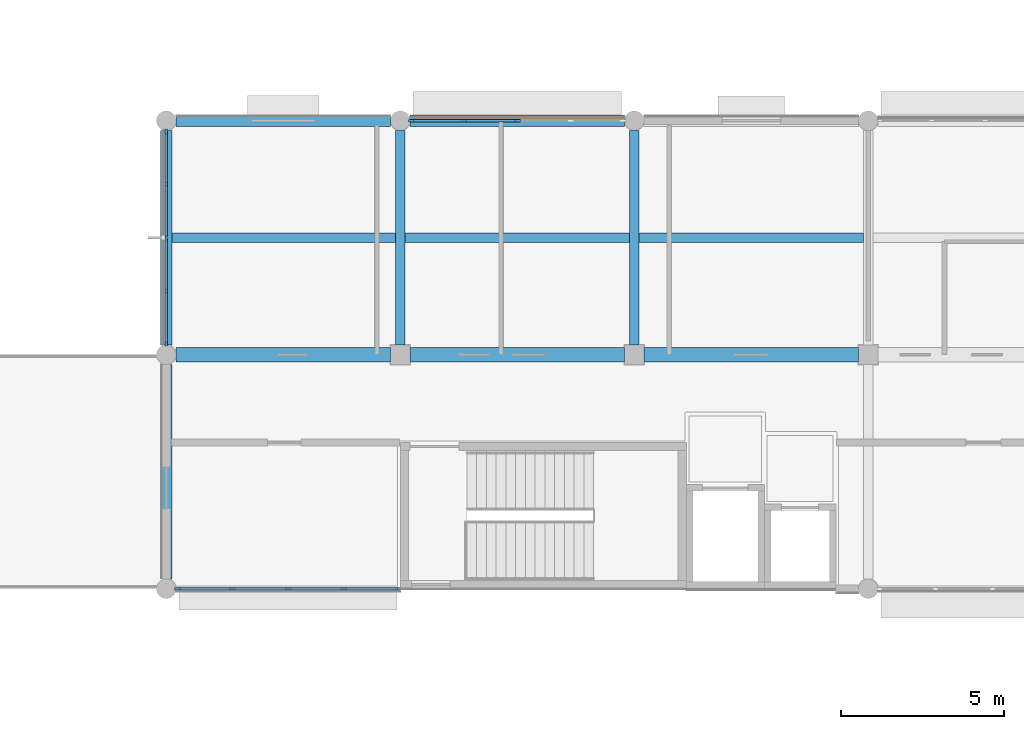
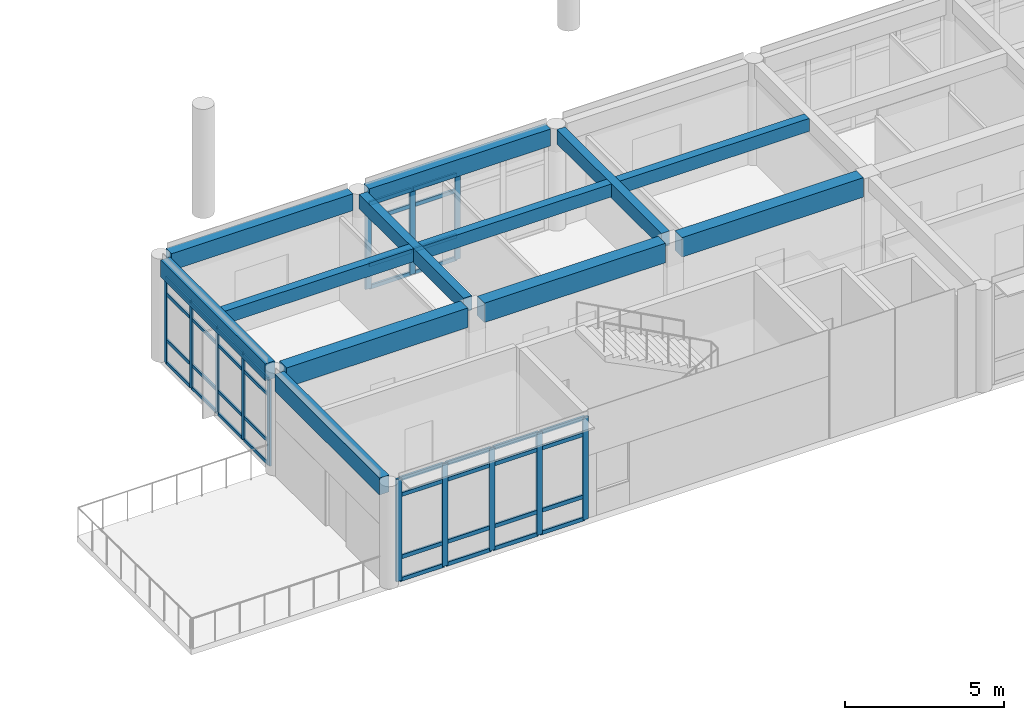
# One storey, part 7 of 41: 53 members, 12 beams, 3 elements without a shape of their own.
"""IFC4 building model written with IfcOpenShell, lengths in metres."""

from ifc_helpers import new_model, si_unit, direction, frame, origin, origin_2d, place, context, subcontext, project, spatial, rectangle, extrude, material, layer, layer_set, material_profile, profile_set, type_object, element, aggregate, save


model = new_model("IFC4")

# Units and contexts
model_context = context("Model", 3, precision=1e-05, world=origin(), true_north=direction((0.0, 1.0)))
body_context = subcontext(model_context, "Body", "Model", "MODEL_VIEW")
ifc_project = project(units=[si_unit("LENGTHUNIT", "METRE"), si_unit("AREAUNIT", "SQUARE_METRE"), si_unit("VOLUMEUNIT", "CUBIC_METRE"), si_unit("PLANEANGLEUNIT", "RADIAN"), si_unit("MASSUNIT", "GRAM", prefix="KILO")], contexts=[model_context])

# Site, building, storey
site_placement = place(None, origin())
site = spatial("IfcSite", under=ifc_project, at=site_placement, CompositionType="ELEMENT")
building_placement = place(site_placement, origin())
building = spatial("IfcBuilding", under=site, at=building_placement, Name="Namkhue Oval Health Centre", CompositionType="ELEMENT")
storey_placement = place(building_placement, frame((0.0, 0.0, 13.800048828125)))
storey = spatial("IfcBuildingStorey", under=building, at=storey_placement, Name="L03", CompositionType="ELEMENT", Elevation=13.800048828125)

# Curtain wall, members
ifc_material_1 = material(Name="Anodised aluminium EN AW-6063 T6", Category="aluminium")
ifc_layer_1 = layer(ifc_material_1, 0.159912109375)
ifc_layer_set_1 = layer_set([ifc_layer_1], Name="Anodised aluminium EN AW-6063 T6")
curtain_wall_type_1 = type_object("IfcCurtainWallType", Name="UNITISED CURTAIN WALL M1800", PredefinedType="NOTDEFINED", material=ifc_layer_set_1)
curtain_wall_1_placement = place(storey_placement, origin())
curtain_wall_1 = element("IfcCurtainWall", 1, at=curtain_wall_1_placement, inside=storey, type_object=curtain_wall_type_1, Name="Volume V2 L03 Unitised Curtain Wall 77", PredefinedType="NOTDEFINED")
ifc_material_profile_1 = material_profile(ifc_material_1, rectangle(XDim=0.06494140625, YDim=0.159912109375, at=origin_2d()), Name="ALU 65x160")
ifc_profile_set_1 = profile_set([ifc_material_profile_1], Name="Anodised aluminium EN AW-6063 T6")
member_type_1 = type_object("IfcMemberType", Name="CURTAIN WALL MULLION 65X160", PredefinedType="MULLION", material=ifc_profile_set_1)
member_1_placement = place(storey_placement, frame((50.39990234375, 104.0576171875, 0.0), z_axis=(0.0, 0.0, 1.0), x_axis=(1.0, 0.0, 0.0)))
member_1 = element("IfcMember", 2, at=member_1_placement, type_object=member_type_1, Name="CW-05 mullion 1", PredefinedType="MULLION", context=body_context, shape_type="SweptSolid", body=[
    extrude(rectangle(XDim=0.06494140625, YDim=0.159912109375, at=origin_2d()), origin(), (0.0, 0.0, 1.0), 3.322021484375),
])
member_2_placement = place(storey_placement, frame((50.39990234375, 102.445068359375, 0.0), z_axis=(0.0, 0.0, 1.0), x_axis=(1.0, 0.0, 0.0)))
member_2 = element("IfcMember", 3, at=member_2_placement, type_object=member_type_1, Name="CW-05 mullion 2", PredefinedType="MULLION", context=body_context, shape_type="SweptSolid", body=[
    extrude(rectangle(XDim=0.06494140625, YDim=0.159912109375, at=origin_2d()), origin(), (0.0, 0.0, 1.0), 3.322021484375),
])
member_3_placement = place(storey_placement, frame((50.39990234375, 100.800048828125, 0.0), z_axis=(0.0, 0.0, 1.0), x_axis=(1.0, 0.0, 0.0)))
member_3 = element("IfcMember", 4, at=member_3_placement, type_object=member_type_1, Name="CW-05 mullion 3", PredefinedType="MULLION", context=body_context, shape_type="SweptSolid", body=[
    extrude(rectangle(XDim=0.06494140625, YDim=0.159912109375, at=origin_2d()), origin(), (0.0, 0.0, 1.0), 3.322021484375),
])
member_4_placement = place(storey_placement, frame((50.39990234375, 99.155029296875, 0.0), z_axis=(0.0, 0.0, 1.0), x_axis=(1.0, 0.0, 0.0)))
member_4 = element("IfcMember", 5, at=member_4_placement, type_object=member_type_1, Name="CW-05 mullion 4", PredefinedType="MULLION", context=body_context, shape_type="SweptSolid", body=[
    extrude(rectangle(XDim=0.06494140625, YDim=0.159912109375, at=origin_2d()), origin(), (0.0, 0.0, 1.0), 3.322021484375),
])
member_5_placement = place(storey_placement, frame((50.39990234375, 97.54248046875, 0.0), z_axis=(0.0, 0.0, 1.0), x_axis=(1.0, 0.0, 0.0)))
member_5 = element("IfcMember", 6, at=member_5_placement, type_object=member_type_1, Name="CW-05 mullion 5", PredefinedType="MULLION", context=body_context, shape_type="SweptSolid", body=[
    extrude(rectangle(XDim=0.06494140625, YDim=0.159912109375, at=origin_2d()), origin(), (0.0, 0.0, 1.0), 3.322021484375),
])

ifc_layer_2 = layer(ifc_material_1, 0.159912109375)
ifc_layer_set_2 = layer_set([ifc_layer_2], Name="Anodised aluminium EN AW-6063 T6")
curtain_wall_type_2 = type_object("IfcCurtainWallType", Name="UNITISED CURTAIN WALL M1600", PredefinedType="NOTDEFINED", material=ifc_layer_set_2)
curtain_wall_2_placement = place(storey_placement, origin())
curtain_wall_2 = element("IfcCurtainWall", 7, at=curtain_wall_2_placement, inside=storey, type_object=curtain_wall_type_2, Name="Volume V2 L03 Unitised Curtain Wall 70", PredefinedType="NOTDEFINED")
ifc_material_profile_2 = material_profile(ifc_material_1, rectangle(XDim=0.074951171875, YDim=0.199951171875, at=origin_2d()), Name="ALU 75x200")
ifc_profile_set_2 = profile_set([ifc_material_profile_2], Name="Anodised aluminium EN AW-6063 T6")
member_type_2 = type_object("IfcMemberType", Name="CURTAIN WALL MULLION 75X200", PredefinedType="MULLION", material=ifc_profile_set_2)
member_6_placement = place(storey_placement, frame((50.74755859375, 90.0, 0.0), z_axis=(0.0, 0.0, 1.0), x_axis=(0.0, 1.0, 0.0)))
member_6 = element("IfcMember", 8, at=member_6_placement, type_object=member_type_2, Name="CW-04 mullion 1", PredefinedType="MULLION", context=body_context, shape_type="SweptSolid", body=[
    extrude(rectangle(XDim=0.074951171875, YDim=0.199951171875, at=origin_2d()), origin(), (0.0, 0.0, 1.0), 3.945068359375),
])
member_7_placement = place(storey_placement, frame((52.42822265625, 90.0, 0.0), z_axis=(0.0, 0.0, 1.0), x_axis=(0.0, 1.0, 0.0)))
member_7 = element("IfcMember", 9, at=member_7_placement, type_object=member_type_2, Name="CW-04 mullion 2", PredefinedType="MULLION", context=body_context, shape_type="SweptSolid", body=[
    extrude(rectangle(XDim=0.074951171875, YDim=0.199951171875, at=origin_2d()), origin(), (0.0, 0.0, 1.0), 3.945068359375),
])
member_8_placement = place(storey_placement, frame((54.146484375, 90.0, 0.0), z_axis=(0.0, 0.0, 1.0), x_axis=(0.0, 1.0, 0.0)))
member_8 = element("IfcMember", 10, at=member_8_placement, type_object=member_type_2, Name="CW-04 mullion 3", PredefinedType="MULLION", context=body_context, shape_type="SweptSolid", body=[
    extrude(rectangle(XDim=0.074951171875, YDim=0.199951171875, at=origin_2d()), origin(), (0.0, 0.0, 1.0), 3.945068359375),
])
member_9_placement = place(storey_placement, frame((55.86474609375, 90.0, 0.0), z_axis=(0.0, 0.0, 1.0), x_axis=(0.0, 1.0, 0.0)))
member_9 = element("IfcMember", 11, at=member_9_placement, type_object=member_type_2, Name="CW-04 mullion 4", PredefinedType="MULLION", context=body_context, shape_type="SweptSolid", body=[
    extrude(rectangle(XDim=0.074951171875, YDim=0.199951171875, at=origin_2d()), origin(), (0.0, 0.0, 1.0), 3.945068359375),
])
member_10_placement = place(storey_placement, frame((57.54541015625, 90.0, 0.0), z_axis=(0.0, 0.0, 1.0), x_axis=(0.0, 1.0, 0.0)))
member_10 = element("IfcMember", 12, at=member_10_placement, type_object=member_type_2, Name="CW-04 mullion 5", PredefinedType="MULLION", context=body_context, shape_type="SweptSolid", body=[
    extrude(rectangle(XDim=0.074951171875, YDim=0.199951171875, at=origin_2d()), origin(), (0.0, 0.0, 1.0), 3.945068359375),
])

curtain_wall_3_placement = place(storey_placement, origin())
curtain_wall_3 = element("IfcCurtainWall", 13, at=curtain_wall_3_placement, inside=storey, type_object=curtain_wall_type_2, Name="Volume V2 L03 Unitised Curtain Wall 76", PredefinedType="NOTDEFINED")
member_11_placement = place(storey_placement, frame((61.199951171875, 104.39990234375, 0.0), z_axis=(0.0, 0.0, 1.0), x_axis=(0.0, -1.0, 0.0)))
member_11 = element("IfcMember", 14, at=member_11_placement, type_object=member_type_2, Name="CW-04 mullion 3", PredefinedType="MULLION", context=body_context, shape_type="SweptSolid", body=[
    extrude(rectangle(XDim=0.074951171875, YDim=0.199951171875, at=origin_2d()), origin(), (0.0, 0.0, 1.0), 3.294921875),
])
member_12_placement = place(storey_placement, frame((59.554931640625, 104.39990234375, 0.0), z_axis=(0.0, 0.0, 1.0), x_axis=(0.0, -1.0, 0.0)))
member_12 = element("IfcMember", 15, at=member_12_placement, type_object=member_type_2, Name="CW-04 mullion 4", PredefinedType="MULLION", context=body_context, shape_type="SweptSolid", body=[
    extrude(rectangle(XDim=0.074951171875, YDim=0.199951171875, at=origin_2d()), origin(), (0.0, 0.0, 1.0), 3.294921875),
])
member_13_placement = place(storey_placement, frame((57.947509765625, 104.39990234375, 0.0), z_axis=(0.0, 0.0, 1.0), x_axis=(0.0, -1.0, 0.0)))
member_13 = element("IfcMember", 16, at=member_13_placement, type_object=member_type_2, Name="CW-04 mullion 5", PredefinedType="MULLION", context=body_context, shape_type="SweptSolid", body=[
    extrude(rectangle(XDim=0.074951171875, YDim=0.199951171875, at=origin_2d()), origin(), (0.0, 0.0, 1.0), 3.294921875),
])

# Member
ifc_material_profile_3 = material_profile(ifc_material_1, rectangle(XDim=0.06494140625, YDim=0.1201171875, at=origin_2d()), Name="ALU 65x120")
ifc_profile_set_3 = profile_set([ifc_material_profile_3], Name="Anodised aluminium EN AW-6063 T6")
member_type_3 = type_object("IfcMemberType", Name="CURTAIN WALL TRANSOM 65X120", PredefinedType="USERDEFINED", material=ifc_profile_set_3)
member_14_placement = place(storey_placement, frame((50.39990234375, 104.02490234375, 0.032470703125), z_axis=(0.0, -1.0, 0.0), x_axis=(1.0, 0.0, 0.0)))
member_14 = element("IfcMember", 17, at=member_14_placement, type_object=member_type_3, Name="CW-05 transom 1.1", ObjectType="TRANSOM", PredefinedType="USERDEFINED", context=body_context, shape_type="SweptSolid", body=[
    extrude(rectangle(XDim=0.06494140625, YDim=0.1201171875, at=origin_2d()), origin(), (0.0, 0.0, 1.0), 1.54736328125),
])

member_15_placement = place(storey_placement, frame((50.39990234375, 104.02490234375, 0.89990234375), z_axis=(0.0, -1.0, 0.0), x_axis=(1.0, 0.0, 0.0)))
member_15 = element("IfcMember", 18, at=member_15_placement, type_object=member_type_3, Name="CW-05 transom 1.2", ObjectType="TRANSOM", PredefinedType="USERDEFINED", context=body_context, shape_type="SweptSolid", body=[
    extrude(rectangle(XDim=0.06494140625, YDim=0.1201171875, at=origin_2d()), origin(), (0.0, 0.0, 1.0), 1.54736328125),
])

member_16_placement = place(storey_placement, frame((50.39990234375, 104.02490234375, 2.671875), z_axis=(0.0, -1.0, 0.0), x_axis=(1.0, 0.0, 0.0)))
member_16 = element("IfcMember", 19, at=member_16_placement, type_object=member_type_3, Name="CW-05 transom 1.3", ObjectType="TRANSOM", PredefinedType="USERDEFINED", context=body_context, shape_type="SweptSolid", body=[
    extrude(rectangle(XDim=0.06494140625, YDim=0.1201171875, at=origin_2d()), origin(), (0.0, 0.0, 1.0), 1.54736328125),
])

member_17_placement = place(storey_placement, frame((50.39990234375, 104.02490234375, 3.28955078125), z_axis=(0.0, -1.0, 0.0), x_axis=(1.0, 0.0, 0.0)))
member_17 = element("IfcMember", 20, at=member_17_placement, type_object=member_type_3, Name="CW-05 transom 1.4", ObjectType="TRANSOM", PredefinedType="USERDEFINED", context=body_context, shape_type="SweptSolid", body=[
    extrude(rectangle(XDim=0.06494140625, YDim=0.1201171875, at=origin_2d()), origin(), (0.0, 0.0, 1.0), 1.54736328125),
])

member_18_placement = place(storey_placement, frame((50.39990234375, 102.41259765625, 0.032470703125), z_axis=(0.0, -1.0, 0.0), x_axis=(1.0, 0.0, 0.0)))
member_18 = element("IfcMember", 21, at=member_18_placement, type_object=member_type_3, Name="CW-05 transom 2.1", ObjectType="TRANSOM", PredefinedType="USERDEFINED", context=body_context, shape_type="SweptSolid", body=[
    extrude(rectangle(XDim=0.06494140625, YDim=0.1201171875, at=origin_2d()), origin(), (0.0, 0.0, 1.0), 1.580078125),
])

member_19_placement = place(storey_placement, frame((50.39990234375, 102.41259765625, 0.89990234375), z_axis=(0.0, -1.0, 0.0), x_axis=(1.0, 0.0, 0.0)))
member_19 = element("IfcMember", 22, at=member_19_placement, type_object=member_type_3, Name="CW-05 transom 2.2", ObjectType="TRANSOM", PredefinedType="USERDEFINED", context=body_context, shape_type="SweptSolid", body=[
    extrude(rectangle(XDim=0.06494140625, YDim=0.1201171875, at=origin_2d()), origin(), (0.0, 0.0, 1.0), 1.580078125),
])

member_20_placement = place(storey_placement, frame((50.39990234375, 102.41259765625, 2.671875), z_axis=(0.0, -1.0, 0.0), x_axis=(1.0, 0.0, 0.0)))
member_20 = element("IfcMember", 23, at=member_20_placement, type_object=member_type_3, Name="CW-05 transom 2.3", ObjectType="TRANSOM", PredefinedType="USERDEFINED", context=body_context, shape_type="SweptSolid", body=[
    extrude(rectangle(XDim=0.06494140625, YDim=0.1201171875, at=origin_2d()), origin(), (0.0, 0.0, 1.0), 1.580078125),
])

member_21_placement = place(storey_placement, frame((50.39990234375, 102.41259765625, 3.28955078125), z_axis=(0.0, -1.0, 0.0), x_axis=(1.0, 0.0, 0.0)))
member_21 = element("IfcMember", 24, at=member_21_placement, type_object=member_type_3, Name="CW-05 transom 2.4", ObjectType="TRANSOM", PredefinedType="USERDEFINED", context=body_context, shape_type="SweptSolid", body=[
    extrude(rectangle(XDim=0.06494140625, YDim=0.1201171875, at=origin_2d()), origin(), (0.0, 0.0, 1.0), 1.580078125),
])

member_22_placement = place(storey_placement, frame((50.39990234375, 100.767578125, 0.032470703125), z_axis=(0.0, -1.0, 0.0), x_axis=(1.0, 0.0, 0.0)))
member_22 = element("IfcMember", 25, at=member_22_placement, type_object=member_type_3, Name="CW-05 transom 3.1", ObjectType="TRANSOM", PredefinedType="USERDEFINED", context=body_context, shape_type="SweptSolid", body=[
    extrude(rectangle(XDim=0.06494140625, YDim=0.1201171875, at=origin_2d()), origin(), (0.0, 0.0, 1.0), 1.580078125),
])

member_23_placement = place(storey_placement, frame((50.39990234375, 100.767578125, 0.89990234375), z_axis=(0.0, -1.0, 0.0), x_axis=(1.0, 0.0, 0.0)))
member_23 = element("IfcMember", 26, at=member_23_placement, type_object=member_type_3, Name="CW-05 transom 3.2", ObjectType="TRANSOM", PredefinedType="USERDEFINED", context=body_context, shape_type="SweptSolid", body=[
    extrude(rectangle(XDim=0.06494140625, YDim=0.1201171875, at=origin_2d()), origin(), (0.0, 0.0, 1.0), 1.580078125),
])

member_24_placement = place(storey_placement, frame((50.39990234375, 100.767578125, 2.671875), z_axis=(0.0, -1.0, 0.0), x_axis=(1.0, 0.0, 0.0)))
member_24 = element("IfcMember", 27, at=member_24_placement, type_object=member_type_3, Name="CW-05 transom 3.3", ObjectType="TRANSOM", PredefinedType="USERDEFINED", context=body_context, shape_type="SweptSolid", body=[
    extrude(rectangle(XDim=0.06494140625, YDim=0.1201171875, at=origin_2d()), origin(), (0.0, 0.0, 1.0), 1.580078125),
])

member_25_placement = place(storey_placement, frame((50.39990234375, 100.767578125, 3.28955078125), z_axis=(0.0, -1.0, 0.0), x_axis=(1.0, 0.0, 0.0)))
member_25 = element("IfcMember", 28, at=member_25_placement, type_object=member_type_3, Name="CW-05 transom 3.4", ObjectType="TRANSOM", PredefinedType="USERDEFINED", context=body_context, shape_type="SweptSolid", body=[
    extrude(rectangle(XDim=0.06494140625, YDim=0.1201171875, at=origin_2d()), origin(), (0.0, 0.0, 1.0), 1.580078125),
])

member_26_placement = place(storey_placement, frame((50.39990234375, 99.12255859375, 0.032470703125), z_axis=(0.0, -1.0, 0.0), x_axis=(1.0, 0.0, 0.0)))
member_26 = element("IfcMember", 29, at=member_26_placement, type_object=member_type_3, Name="CW-05 transom 4.1", ObjectType="TRANSOM", PredefinedType="USERDEFINED", context=body_context, shape_type="SweptSolid", body=[
    extrude(rectangle(XDim=0.06494140625, YDim=0.1201171875, at=origin_2d()), origin(), (0.0, 0.0, 1.0), 1.547607421875),
])

member_27_placement = place(storey_placement, frame((50.39990234375, 99.12255859375, 0.89990234375), z_axis=(0.0, -1.0, 0.0), x_axis=(1.0, 0.0, 0.0)))
member_27 = element("IfcMember", 30, at=member_27_placement, type_object=member_type_3, Name="CW-05 transom 4.2", ObjectType="TRANSOM", PredefinedType="USERDEFINED", context=body_context, shape_type="SweptSolid", body=[
    extrude(rectangle(XDim=0.06494140625, YDim=0.1201171875, at=origin_2d()), origin(), (0.0, 0.0, 1.0), 1.547607421875),
])

member_28_placement = place(storey_placement, frame((50.39990234375, 99.12255859375, 2.671875), z_axis=(0.0, -1.0, 0.0), x_axis=(1.0, 0.0, 0.0)))
member_28 = element("IfcMember", 31, at=member_28_placement, type_object=member_type_3, Name="CW-05 transom 4.3", ObjectType="TRANSOM", PredefinedType="USERDEFINED", context=body_context, shape_type="SweptSolid", body=[
    extrude(rectangle(XDim=0.06494140625, YDim=0.1201171875, at=origin_2d()), origin(), (0.0, 0.0, 1.0), 1.547607421875),
])

member_29_placement = place(storey_placement, frame((50.39990234375, 99.12255859375, 3.28955078125), z_axis=(0.0, -1.0, 0.0), x_axis=(1.0, 0.0, 0.0)))
member_29 = element("IfcMember", 32, at=member_29_placement, type_object=member_type_3, Name="CW-05 transom 4.4", ObjectType="TRANSOM", PredefinedType="USERDEFINED", context=body_context, shape_type="SweptSolid", body=[
    extrude(rectangle(XDim=0.06494140625, YDim=0.1201171875, at=origin_2d()), origin(), (0.0, 0.0, 1.0), 1.547607421875),
])

aggregate(curtain_wall_1, [member_1, member_2, member_3, member_4, member_5, member_14, member_15, member_16, member_17, member_18, member_19, member_20, member_21, member_22, member_23, member_24, member_25, member_26, member_27, member_28, member_29])

ifc_material_profile_4 = material_profile(ifc_material_1, rectangle(XDim=0.074951171875, YDim=0.14990234375, at=origin_2d()), Name="ALU 75x150")
ifc_profile_set_4 = profile_set([ifc_material_profile_4], Name="Anodised aluminium EN AW-6063 T6")
member_type_4 = type_object("IfcMemberType", Name="CURTAIN WALL TRANSOM 75X150", PredefinedType="USERDEFINED", material=ifc_profile_set_4)
member_30_placement = place(storey_placement, frame((50.784912109375, 90.0, 0.037353515625), z_axis=(1.0, 0.0, 0.0), x_axis=(0.0, 1.0, 0.0)))
member_30 = element("IfcMember", 33, at=member_30_placement, type_object=member_type_4, Name="CW-04 transom 1.1", ObjectType="TRANSOM", PredefinedType="USERDEFINED", context=body_context, shape_type="SweptSolid", body=[
    extrude(rectangle(XDim=0.074951171875, YDim=0.14990234375, at=origin_2d()), origin(), (0.0, 0.0, 1.0), 1.60595703125),
])

member_31_placement = place(storey_placement, frame((50.784912109375, 90.0, 0.89990234375), z_axis=(1.0, 0.0, 0.0), x_axis=(0.0, 1.0, 0.0)))
member_31 = element("IfcMember", 34, at=member_31_placement, type_object=member_type_4, Name="CW-04 transom 1.2", ObjectType="TRANSOM", PredefinedType="USERDEFINED", context=body_context, shape_type="SweptSolid", body=[
    extrude(rectangle(XDim=0.074951171875, YDim=0.14990234375, at=origin_2d()), origin(), (0.0, 0.0, 1.0), 1.60595703125),
])

member_32_placement = place(storey_placement, frame((50.784912109375, 90.0, 3.294921875), z_axis=(1.0, 0.0, 0.0), x_axis=(0.0, 1.0, 0.0)))
member_32 = element("IfcMember", 35, at=member_32_placement, type_object=member_type_4, Name="CW-04 transom 1.3", ObjectType="TRANSOM", PredefinedType="USERDEFINED", context=body_context, shape_type="SweptSolid", body=[
    extrude(rectangle(XDim=0.074951171875, YDim=0.14990234375, at=origin_2d()), origin(), (0.0, 0.0, 1.0), 1.60595703125),
])

member_33_placement = place(storey_placement, frame((50.784912109375, 90.0, 3.907470703125), z_axis=(1.0, 0.0, 0.0), x_axis=(0.0, 1.0, 0.0)))
member_33 = element("IfcMember", 36, at=member_33_placement, type_object=member_type_4, Name="CW-04 transom 1.4", ObjectType="TRANSOM", PredefinedType="USERDEFINED", context=body_context, shape_type="SweptSolid", body=[
    extrude(rectangle(XDim=0.074951171875, YDim=0.14990234375, at=origin_2d()), origin(), (0.0, 0.0, 1.0), 1.60595703125),
])

member_34_placement = place(storey_placement, frame((52.4658203125, 90.0, 0.037353515625), z_axis=(1.0, 0.0, 0.0), x_axis=(0.0, 1.0, 0.0)))
member_34 = element("IfcMember", 37, at=member_34_placement, type_object=member_type_4, Name="CW-04 transom 2.1", ObjectType="TRANSOM", PredefinedType="USERDEFINED", context=body_context, shape_type="SweptSolid", body=[
    extrude(rectangle(XDim=0.074951171875, YDim=0.14990234375, at=origin_2d()), origin(), (0.0, 0.0, 1.0), 1.64306640625),
])

member_35_placement = place(storey_placement, frame((52.4658203125, 90.0, 0.89990234375), z_axis=(1.0, 0.0, 0.0), x_axis=(0.0, 1.0, 0.0)))
member_35 = element("IfcMember", 38, at=member_35_placement, type_object=member_type_4, Name="CW-04 transom 2.2", ObjectType="TRANSOM", PredefinedType="USERDEFINED", context=body_context, shape_type="SweptSolid", body=[
    extrude(rectangle(XDim=0.074951171875, YDim=0.14990234375, at=origin_2d()), origin(), (0.0, 0.0, 1.0), 1.64306640625),
])

member_36_placement = place(storey_placement, frame((52.4658203125, 90.0, 3.294921875), z_axis=(1.0, 0.0, 0.0), x_axis=(0.0, 1.0, 0.0)))
member_36 = element("IfcMember", 39, at=member_36_placement, type_object=member_type_4, Name="CW-04 transom 2.3", ObjectType="TRANSOM", PredefinedType="USERDEFINED", context=body_context, shape_type="SweptSolid", body=[
    extrude(rectangle(XDim=0.074951171875, YDim=0.14990234375, at=origin_2d()), origin(), (0.0, 0.0, 1.0), 1.64306640625),
])

member_37_placement = place(storey_placement, frame((52.4658203125, 90.0, 3.907470703125), z_axis=(1.0, 0.0, 0.0), x_axis=(0.0, 1.0, 0.0)))
member_37 = element("IfcMember", 40, at=member_37_placement, type_object=member_type_4, Name="CW-04 transom 2.4", ObjectType="TRANSOM", PredefinedType="USERDEFINED", context=body_context, shape_type="SweptSolid", body=[
    extrude(rectangle(XDim=0.074951171875, YDim=0.14990234375, at=origin_2d()), origin(), (0.0, 0.0, 1.0), 1.64306640625),
])

member_38_placement = place(storey_placement, frame((54.18408203125, 90.0, 0.037353515625), z_axis=(1.0, 0.0, 0.0), x_axis=(0.0, 1.0, 0.0)))
member_38 = element("IfcMember", 41, at=member_38_placement, type_object=member_type_4, Name="CW-04 transom 3.1", ObjectType="TRANSOM", PredefinedType="USERDEFINED", context=body_context, shape_type="SweptSolid", body=[
    extrude(rectangle(XDim=0.074951171875, YDim=0.14990234375, at=origin_2d()), origin(), (0.0, 0.0, 1.0), 1.64306640625),
])

member_39_placement = place(storey_placement, frame((54.18408203125, 90.0, 0.89990234375), z_axis=(1.0, 0.0, 0.0), x_axis=(0.0, 1.0, 0.0)))
member_39 = element("IfcMember", 42, at=member_39_placement, type_object=member_type_4, Name="CW-04 transom 3.2", ObjectType="TRANSOM", PredefinedType="USERDEFINED", context=body_context, shape_type="SweptSolid", body=[
    extrude(rectangle(XDim=0.074951171875, YDim=0.14990234375, at=origin_2d()), origin(), (0.0, 0.0, 1.0), 1.64306640625),
])

member_40_placement = place(storey_placement, frame((54.18408203125, 90.0, 3.294921875), z_axis=(1.0, 0.0, 0.0), x_axis=(0.0, 1.0, 0.0)))
member_40 = element("IfcMember", 43, at=member_40_placement, type_object=member_type_4, Name="CW-04 transom 3.3", ObjectType="TRANSOM", PredefinedType="USERDEFINED", context=body_context, shape_type="SweptSolid", body=[
    extrude(rectangle(XDim=0.074951171875, YDim=0.14990234375, at=origin_2d()), origin(), (0.0, 0.0, 1.0), 1.64306640625),
])

member_41_placement = place(storey_placement, frame((54.18408203125, 90.0, 3.907470703125), z_axis=(1.0, 0.0, 0.0), x_axis=(0.0, 1.0, 0.0)))
member_41 = element("IfcMember", 44, at=member_41_placement, type_object=member_type_4, Name="CW-04 transom 3.4", ObjectType="TRANSOM", PredefinedType="USERDEFINED", context=body_context, shape_type="SweptSolid", body=[
    extrude(rectangle(XDim=0.074951171875, YDim=0.14990234375, at=origin_2d()), origin(), (0.0, 0.0, 1.0), 1.64306640625),
])

member_42_placement = place(storey_placement, frame((55.90234375, 90.0, 0.037353515625), z_axis=(1.0, 0.0, 0.0), x_axis=(0.0, 1.0, 0.0)))
member_42 = element("IfcMember", 45, at=member_42_placement, type_object=member_type_4, Name="CW-04 transom 4.1", ObjectType="TRANSOM", PredefinedType="USERDEFINED", context=body_context, shape_type="SweptSolid", body=[
    extrude(rectangle(XDim=0.074951171875, YDim=0.14990234375, at=origin_2d()), origin(), (0.0, 0.0, 1.0), 1.605712890625),
])

member_43_placement = place(storey_placement, frame((55.90234375, 90.0, 0.89990234375), z_axis=(1.0, 0.0, 0.0), x_axis=(0.0, 1.0, 0.0)))
member_43 = element("IfcMember", 46, at=member_43_placement, type_object=member_type_4, Name="CW-04 transom 4.2", ObjectType="TRANSOM", PredefinedType="USERDEFINED", context=body_context, shape_type="SweptSolid", body=[
    extrude(rectangle(XDim=0.074951171875, YDim=0.14990234375, at=origin_2d()), origin(), (0.0, 0.0, 1.0), 1.605712890625),
])

member_44_placement = place(storey_placement, frame((55.90234375, 90.0, 3.294921875), z_axis=(1.0, 0.0, 0.0), x_axis=(0.0, 1.0, 0.0)))
member_44 = element("IfcMember", 47, at=member_44_placement, type_object=member_type_4, Name="CW-04 transom 4.3", ObjectType="TRANSOM", PredefinedType="USERDEFINED", context=body_context, shape_type="SweptSolid", body=[
    extrude(rectangle(XDim=0.074951171875, YDim=0.14990234375, at=origin_2d()), origin(), (0.0, 0.0, 1.0), 1.605712890625),
])

member_45_placement = place(storey_placement, frame((55.90234375, 90.0, 3.907470703125), z_axis=(1.0, 0.0, 0.0), x_axis=(0.0, 1.0, 0.0)))
member_45 = element("IfcMember", 48, at=member_45_placement, type_object=member_type_4, Name="CW-04 transom 4.4", ObjectType="TRANSOM", PredefinedType="USERDEFINED", context=body_context, shape_type="SweptSolid", body=[
    extrude(rectangle(XDim=0.074951171875, YDim=0.14990234375, at=origin_2d()), origin(), (0.0, 0.0, 1.0), 1.605712890625),
])

aggregate(curtain_wall_2, [member_6, member_7, member_8, member_9, member_10, member_30, member_31, member_32, member_33, member_34, member_35, member_36, member_37, member_38, member_39, member_40, member_41, member_42, member_43, member_44, member_45])

member_46_placement = place(storey_placement, frame((61.16259765625, 104.39990234375, 0.037353515625), z_axis=(-1.0, 0.0, 0.0), x_axis=(0.0, -1.0, 0.0)))
member_46 = element("IfcMember", 49, at=member_46_placement, type_object=member_type_4, Name="CW-04 transom 3.1", ObjectType="TRANSOM", PredefinedType="USERDEFINED", context=body_context, shape_type="SweptSolid", body=[
    extrude(rectangle(XDim=0.074951171875, YDim=0.14990234375, at=origin_2d()), origin(), (0.0, 0.0, 1.0), 1.570068359375),
])

member_47_placement = place(storey_placement, frame((61.16259765625, 104.39990234375, 0.89990234375), z_axis=(-1.0, 0.0, 0.0), x_axis=(0.0, -1.0, 0.0)))
member_47 = element("IfcMember", 50, at=member_47_placement, type_object=member_type_4, Name="CW-04 transom 3.2", ObjectType="TRANSOM", PredefinedType="USERDEFINED", context=body_context, shape_type="SweptSolid", body=[
    extrude(rectangle(XDim=0.074951171875, YDim=0.14990234375, at=origin_2d()), origin(), (0.0, 0.0, 1.0), 1.570068359375),
])

member_48_placement = place(storey_placement, frame((61.16259765625, 104.39990234375, 2.64501953125), z_axis=(-1.0, 0.0, 0.0), x_axis=(0.0, -1.0, 0.0)))
member_48 = element("IfcMember", 51, at=member_48_placement, type_object=member_type_4, Name="CW-04 transom 3.3", ObjectType="TRANSOM", PredefinedType="USERDEFINED", context=body_context, shape_type="SweptSolid", body=[
    extrude(rectangle(XDim=0.074951171875, YDim=0.14990234375, at=origin_2d()), origin(), (0.0, 0.0, 1.0), 1.570068359375),
])

member_49_placement = place(storey_placement, frame((61.16259765625, 104.39990234375, 3.257568359375), z_axis=(-1.0, 0.0, 0.0), x_axis=(0.0, -1.0, 0.0)))
member_49 = element("IfcMember", 52, at=member_49_placement, type_object=member_type_4, Name="CW-04 transom 3.4", ObjectType="TRANSOM", PredefinedType="USERDEFINED", context=body_context, shape_type="SweptSolid", body=[
    extrude(rectangle(XDim=0.074951171875, YDim=0.14990234375, at=origin_2d()), origin(), (0.0, 0.0, 1.0), 1.570068359375),
])

member_50_placement = place(storey_placement, frame((59.517578125, 104.39990234375, 0.037353515625), z_axis=(-1.0, 0.0, 0.0), x_axis=(0.0, -1.0, 0.0)))
member_50 = element("IfcMember", 53, at=member_50_placement, type_object=member_type_4, Name="CW-04 transom 4.1", ObjectType="TRANSOM", PredefinedType="USERDEFINED", context=body_context, shape_type="SweptSolid", body=[
    extrude(rectangle(XDim=0.074951171875, YDim=0.14990234375, at=origin_2d()), origin(), (0.0, 0.0, 1.0), 1.532470703125),
])

member_51_placement = place(storey_placement, frame((59.517578125, 104.39990234375, 0.89990234375), z_axis=(-1.0, 0.0, 0.0), x_axis=(0.0, -1.0, 0.0)))
member_51 = element("IfcMember", 54, at=member_51_placement, type_object=member_type_4, Name="CW-04 transom 4.2", ObjectType="TRANSOM", PredefinedType="USERDEFINED", context=body_context, shape_type="SweptSolid", body=[
    extrude(rectangle(XDim=0.074951171875, YDim=0.14990234375, at=origin_2d()), origin(), (0.0, 0.0, 1.0), 1.532470703125),
])

member_52_placement = place(storey_placement, frame((59.517578125, 104.39990234375, 2.64501953125), z_axis=(-1.0, 0.0, 0.0), x_axis=(0.0, -1.0, 0.0)))
member_52 = element("IfcMember", 55, at=member_52_placement, type_object=member_type_4, Name="CW-04 transom 4.3", ObjectType="TRANSOM", PredefinedType="USERDEFINED", context=body_context, shape_type="SweptSolid", body=[
    extrude(rectangle(XDim=0.074951171875, YDim=0.14990234375, at=origin_2d()), origin(), (0.0, 0.0, 1.0), 1.532470703125),
])

member_53_placement = place(storey_placement, frame((59.517578125, 104.39990234375, 3.257568359375), z_axis=(-1.0, 0.0, 0.0), x_axis=(0.0, -1.0, 0.0)))
member_53 = element("IfcMember", 56, at=member_53_placement, type_object=member_type_4, Name="CW-04 transom 4.4", ObjectType="TRANSOM", PredefinedType="USERDEFINED", context=body_context, shape_type="SweptSolid", body=[
    extrude(rectangle(XDim=0.074951171875, YDim=0.14990234375, at=origin_2d()), origin(), (0.0, 0.0, 1.0), 1.532470703125),
])

aggregate(curtain_wall_3, [member_11, member_12, member_13, member_46, member_47, member_48, member_49, member_50, member_51, member_52, member_53])

# Beams
ifc_material_2 = material(Name="Reinforced concrete C30/37 (TCVN B35)", Category="concrete")
ifc_material_profile_5 = material_profile(ifc_material_2, rectangle(XDim=0.300048828125, YDim=0.550048828125, at=origin_2d()), Name="RC 300x550")
ifc_profile_set_5 = profile_set([ifc_material_profile_5], Name="Reinforced concrete C30/37 (TCVN B35)")
beam_type_1 = type_object("IfcBeamType", Name="FLOOR BEAM RC 300X550", PredefinedType="BEAM", material=ifc_profile_set_5)
for number, where, z_axis, x_axis, name in (
    (57, (57.60009765625, 97.5, 3.697021484375), (0.0, 1.0, 0.0), (-1.0, 0.0, 0.0), "Volume V2 L04 Beam 9/O-P"),
    (58, (64.800048828125, 97.5, 3.669921875), (0.0, 1.0, 0.0), (-1.0, 0.0, 0.0), "Volume V2 L04 Beam 10/O-P"),
):
    element("IfcBeam", number, at=place(storey_placement, frame(where, z_axis=z_axis, x_axis=x_axis)), inside=storey, type_object=beam_type_1, Name=name, PredefinedType="BEAM", context=body_context, shape_type="SweptSolid", body=[
        extrude(rectangle(XDim=0.300048828125, YDim=0.550048828125, at=origin_2d()), origin(), (0.0, 0.0, 1.0), 6.60009765625),
    ])
ifc_material_3 = material(Name="Reinforced concrete C35/45 (TCVN B40)", Category="concrete")
ifc_material_profile_6 = material_profile(ifc_material_3, rectangle(XDim=0.35009765625, YDim=0.64990234375, at=origin_2d()), Name="RC 350x650")
ifc_profile_set_6 = profile_set([ifc_material_profile_6], Name="Reinforced concrete C35/45 (TCVN B40)")
beam_type_2 = type_object("IfcBeamType", Name="PERIMETER SPANDREL BEAM 350X650", PredefinedType="SPANDREL", material=ifc_profile_set_6)
for number, where, z_axis, x_axis, name in (
    (59, (50.699951171875, 104.39990234375, 3.64697265625), (1.0, 0.0, 0.0), (0.0, 1.0, 0.0), "Volume V2 L04 Girder P/8-9"),
    (60, (57.89990234375, 104.39990234375, 3.619873046875), (1.0, 0.0, 0.0), (0.0, 1.0, 0.0), "Volume V2 L04 Girder P/9-10"),
):
    element("IfcBeam", number, at=place(storey_placement, frame(where, z_axis=z_axis, x_axis=x_axis)), inside=storey, type_object=beam_type_2, Name=name, PredefinedType="SPANDREL", context=body_context, shape_type="SweptSolid", body=[
        extrude(rectangle(XDim=0.35009765625, YDim=0.64990234375, at=origin_2d()), origin(), (0.0, 0.0, 1.0), 6.60009765625),
    ])
beam_1_placement = place(storey_placement, frame((50.39990234375, 90.300048828125, 3.619873046875), z_axis=(0.0, 1.0, 0.0), x_axis=(-1.0, 0.0, 0.0)))
element("IfcBeam", 61, at=beam_1_placement, inside=storey, type_object=beam_type_2, Name="Volume V2 L04 Beam 8/N-O", PredefinedType="SPANDREL", context=body_context, shape_type="SweptSolid", body=[
    extrude(rectangle(XDim=0.35009765625, YDim=0.64990234375, at=origin_2d()), origin(), (0.0, 0.0, 1.0), 6.599853515625),
])
beam_2_placement = place(storey_placement, frame((50.39990234375, 97.5, 3.64697265625), z_axis=(0.0, 1.0, 0.0), x_axis=(-1.0, 0.0, 0.0)))
element("IfcBeam", 62, at=beam_2_placement, inside=storey, type_object=beam_type_2, Name="Volume V2 L04 Beam 8/O-P", PredefinedType="SPANDREL", context=body_context, shape_type="SweptSolid", body=[
    extrude(rectangle(XDim=0.35009765625, YDim=0.64990234375, at=origin_2d()), origin(), (0.0, 0.0, 1.0), 6.60009765625),
])
ifc_material_profile_7 = material_profile(ifc_material_3, rectangle(XDim=0.449951171875, YDim=0.75, at=origin_2d()), Name="RC 450x750")
ifc_profile_set_7 = profile_set([ifc_material_profile_7], Name="Reinforced concrete C35/45 (TCVN B40)")
beam_type_3 = type_object("IfcBeamType", Name="PRIMARY GIRDER RC 450X750", PredefinedType="USERDEFINED", material=ifc_profile_set_7)
for number, where, z_axis, x_axis, name in (
    (63, (50.699951171875, 97.199951171875, 3.596923828125), (1.0, 0.0, 0.0), (0.0, 1.0, 0.0), "Volume V2 L04 Girder O/8-9"),
    (64, (57.89990234375, 97.199951171875, 3.570068359375), (1.0, 0.0, 0.0), (0.0, 1.0, 0.0), "Volume V2 L04 Girder O/9-10"),
):
    element("IfcBeam", number, at=place(storey_placement, frame(where, z_axis=z_axis, x_axis=x_axis)), inside=storey, type_object=beam_type_3, Name=name, ObjectType="GIRDER", PredefinedType="USERDEFINED", context=body_context, shape_type="SweptSolid", body=[
        extrude(rectangle(XDim=0.449951171875, YDim=0.75, at=origin_2d()), origin(), (0.0, 0.0, 1.0), 6.60009765625),
    ])
beam_3_placement = place(storey_placement, frame((65.10009765625, 97.199951171875, 3.570068359375), z_axis=(1.0, 0.0, 0.0), x_axis=(0.0, 1.0, 0.0)))
element("IfcBeam", 65, at=beam_3_placement, inside=storey, type_object=beam_type_3, Name="Volume V2 L04 Girder O/10-11", ObjectType="GIRDER", PredefinedType="USERDEFINED", context=body_context, shape_type="SweptSolid", body=[
    extrude(rectangle(XDim=0.449951171875, YDim=0.75, at=origin_2d()), origin(), (0.0, 0.0, 1.0), 6.599853515625),
])
ifc_material_profile_8 = material_profile(ifc_material_2, rectangle(XDim=0.300048828125, YDim=0.5, at=origin_2d()), Name="RC 300x500")
ifc_profile_set_8 = profile_set([ifc_material_profile_8], Name="Reinforced concrete C30/37 (TCVN B35)")
beam_type_4 = type_object("IfcBeamType", Name="SECONDARY JOIST RC 300X500", PredefinedType="JOIST", material=ifc_profile_set_8)
beam_4_placement = place(storey_placement, frame((50.574951171875, 100.800048828125, 3.721923828125), z_axis=(1.0, 0.0, 0.0), x_axis=(0.0, 1.0, 0.0)))
element("IfcBeam", 66, at=beam_4_placement, inside=storey, type_object=beam_type_4, Name="Volume V2 L04 Secondary Joist 8-9", PredefinedType="JOIST", context=body_context, shape_type="SweptSolid", body=[
    extrude(rectangle(XDim=0.300048828125, YDim=0.5, at=origin_2d()), origin(), (0.0, 0.0, 1.0), 6.875),
])
beam_5_placement = place(storey_placement, frame((57.75, 100.800048828125, 3.695068359375), z_axis=(1.0, 0.0, 0.0), x_axis=(0.0, 1.0, 0.0)))
element("IfcBeam", 67, at=beam_5_placement, inside=storey, type_object=beam_type_4, Name="Volume V2 L04 Secondary Joist 9-10", PredefinedType="JOIST", context=body_context, shape_type="SweptSolid", body=[
    extrude(rectangle(XDim=0.300048828125, YDim=0.5, at=origin_2d()), origin(), (0.0, 0.0, 1.0), 6.89990234375),
])
beam_6_placement = place(storey_placement, frame((64.949951171875, 100.800048828125, 3.695068359375), z_axis=(1.0, 0.0, 0.0), x_axis=(0.0, 1.0, 0.0)))
element("IfcBeam", 68, at=beam_6_placement, inside=storey, type_object=beam_type_4, Name="Volume V2 L04 Secondary Joist 10-11", PredefinedType="JOIST", context=body_context, shape_type="SweptSolid", body=[
    extrude(rectangle(XDim=0.300048828125, YDim=0.5, at=origin_2d()), origin(), (0.0, 0.0, 1.0), 6.900146484375),
])

save(model, "model.ifc")
